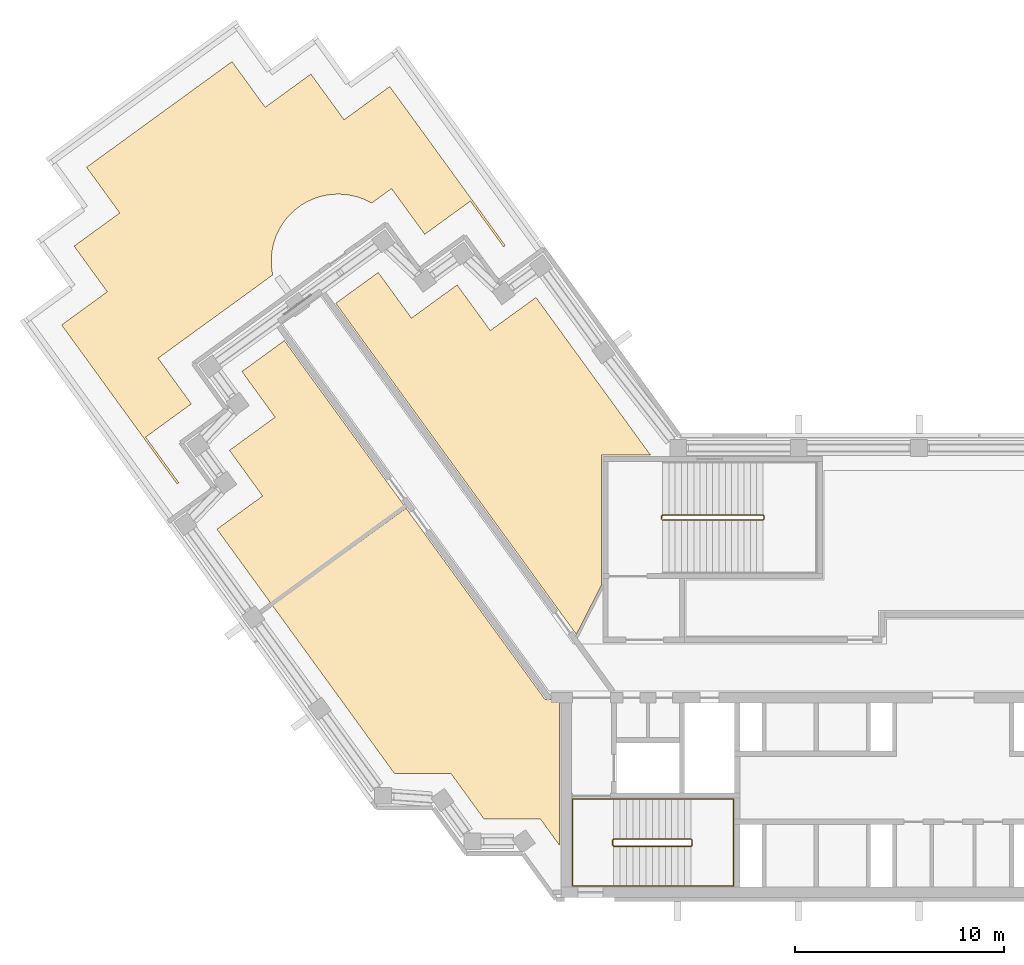
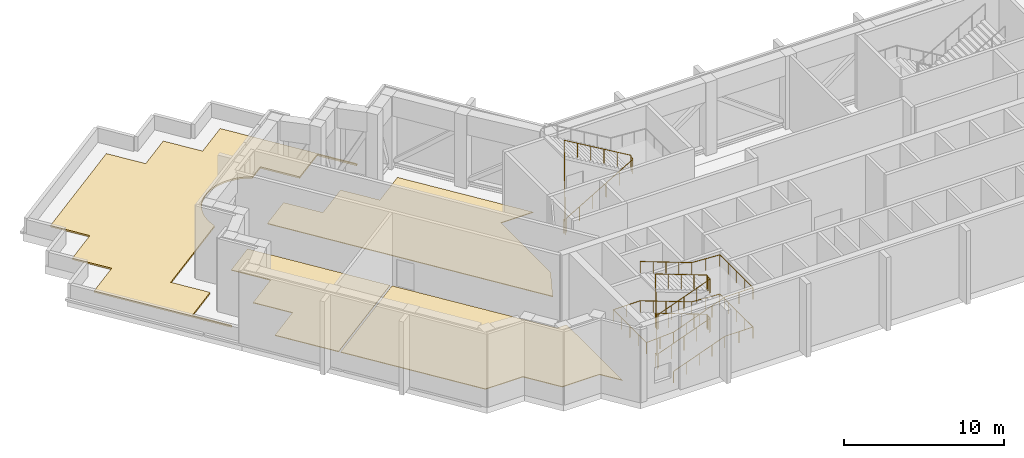
# One storey, part 13 of 15: 4 coverings, 3 railings.
"""IFC4 building model written with IfcOpenShell, lengths in metres."""

from ifc_helpers import new_model, si_unit, direction, frame, origin, origin_2d, place, context, subcontext, project, spatial, polyline, circle, outline, extrude, material, layer, layer_set, type_object, element, save


model = new_model("IFC4")

# Units and contexts
model_context = context("Model", 3, precision=1e-05, world=origin(), true_north=direction((0.0, 1.0)))
body_context = subcontext(model_context, "Body", "Model", "MODEL_VIEW")
ifc_project = project(units=[si_unit("LENGTHUNIT", "METRE"), si_unit("AREAUNIT", "SQUARE_METRE"), si_unit("VOLUMEUNIT", "CUBIC_METRE"), si_unit("PLANEANGLEUNIT", "RADIAN"), si_unit("MASSUNIT", "GRAM", prefix="KILO")], contexts=[model_context])

# Site, building, storey
site_placement = place(None, origin())
site = spatial("IfcSite", under=ifc_project, at=site_placement, CompositionType="ELEMENT")
building_placement = place(site_placement, origin())
building = spatial("IfcBuilding", under=site, at=building_placement, Name="Quipu Civic Tower", CompositionType="ELEMENT")
storey_placement = place(building_placement, frame((0.0, 0.0, 242.0)))
storey = spatial("IfcBuildingStorey", under=building, at=storey_placement, Name="L57", CompositionType="ELEMENT", Elevation=242.0)

# Coverings
ifc_material_1 = material(Name="Roof membrane and gravel ballast")
ifc_layer_1 = layer(ifc_material_1, 0.1201171875)
ifc_layer_set_1 = layer_set([ifc_layer_1], Name="Roof membrane and gravel ballast")
covering_type_1 = type_object("IfcCoveringType", Name="Roof membrane and ballast build-up", PredefinedType="ROOFING", material=ifc_layer_set_1)
covering_1_placement = place(storey_placement, origin())
element("IfcCovering", 1, at=covering_1_placement, inside=storey, type_object=covering_type_1, Name="Roof build-up L57 1", PredefinedType="ROOFING", context=body_context, shape_type="SweptSolid", body=[
    extrude(outline(polyline([(-43.89404296875, 16.384521484375), (-41.709716796875, 17.9716796875), (-43.296630859375, 20.156005859375), (-41.1123046875, 21.742919921875), (-42.699462890625, 23.927490234375), (-35.74169921875, 28.982421875), (-34.15478515625, 26.798095703125), (-31.970458984375, 28.385009765625), (-30.38330078125, 26.20068359375), (-28.19921875, 27.78759765625), (-22.673828125, 20.182861328125), (-22.7548828125, 20.1240234375), (-24.341796875, 22.30859375), (-26.526123046875, 20.721435546875), (-28.11328125, 22.90576171875), (-29.067626953125, 22.21240234375), (-29.44140625, 22.400390625), (-29.737060546875, 22.506103515625), (-30.041748046875, 22.58251953125), (-30.352294921875, 22.628662109375), (-30.666015625, 22.64404296875), (-30.979736328125, 22.628662109375), (-31.290283203125, 22.58251953125), (-31.594970703125, 22.506103515625), (-31.890625, 22.400390625), (-32.174560546875, 22.26611328125), (-32.44384765625, 22.104736328125), (-32.696044921875, 21.91748046875), (-32.9287109375, 21.706787109375), (-33.1396484375, 21.47412109375), (-33.32666015625, 21.2216796875), (-33.488037109375, 20.952392578125), (-33.622314453125, 20.668701171875), (-33.728271484375, 20.372802734375), (-33.804443359375, 20.068359375), (-33.8505859375, 19.7578125), (-33.865966796875, 19.444091796875), (-33.8505859375, 19.13037109375), (-33.794189453125, 18.7783203125), (-39.277587890625, 14.79443359375), (-37.690673828125, 12.610107421875), (-39.875, 11.02294921875), (-38.287841796875, 8.838623046875), (-38.368896484375, 8.77978515625), (-43.89404296875, 16.384521484375)])), origin(), (0.0, 0.0, 1.0), 0.1201171875),
])
ifc_material_2 = material(Name="Sealed cement screed")
ifc_layer_2 = layer(ifc_material_2, 0.050048828125)
ifc_layer_set_2 = layer_set([ifc_layer_2], Name="Sealed cement screed")
covering_type_2 = type_object("IfcCoveringType", Name="Sealed screed floor finish 50", PredefinedType="FLOORING", material=ifc_layer_set_2)
covering_2_placement = place(storey_placement, origin())
element("IfcCovering", 2, at=covering_2_placement, inside=storey, type_object=covering_type_2, Name="Sealed screed floor finish 50", PredefinedType="FLOORING", context=body_context, shape_type="SweptSolid", body=[
    extrude(outline(polyline([(-30.779052734375, 17.422119140625), (-28.748046875, 18.89697265625), (-27.159912109375, 16.712890625), (-24.97607421875, 18.299072265625), (-23.388916015625, 16.115966796875), (-21.205078125, 17.701904296875), (-15.73193359375, 10.169921875), (-18.070068359375, 10.1689453125), (-18.070068359375, 3.94189453125), (-19.27197265625, 1.583984375), (-30.779052734375, 17.422119140625)])), origin(), (0.0, 0.0, 1.0), 0.050048828125),
])
covering_3_placement = place(storey_placement, origin())
element("IfcCovering", 3, at=covering_3_placement, inside=storey, type_object=covering_type_2, Name="Sealed screed floor finish 50", PredefinedType="FLOORING", context=body_context, shape_type="SweptSolid", body=[
    extrude(outline(polyline([(-36.462890625, 6.616943359375), (-34.280029296875, 8.2041015625), (-35.865966796875, 10.387939453125), (-33.68310546875, 11.97412109375), (-35.26904296875, 14.159912109375), (-33.238037109375, 15.635009765625), (-27.4990234375, 7.73388671875), (-33.89794921875, 3.0859375), (-36.462890625, 6.616943359375)])), origin(), (0.0, 0.0, 1.0), 0.050048828125),
])
covering_4_placement = place(storey_placement, origin())
element("IfcCovering", 4, at=covering_4_placement, inside=storey, type_object=covering_type_2, Name="Sealed screed floor finish 50", PredefinedType="FLOORING", context=body_context, shape_type="SweptSolid", body=[
    extrude(outline(polyline([(-33.81494140625, 2.972900390625), (-27.416015625, 7.62109375), (-20.77490234375, -1.51904296875), (-20.070068359375, -1.52001953125), (-20.070068359375, -8.514892578125), (-20.991943359375, -7.24609375), (-23.69189453125, -7.24609375), (-25.279052734375, -5.06103515625), (-27.97900390625, -5.06103515625), (-33.81494140625, 2.972900390625)])), origin(), (0.0, 0.0, 1.0), 0.050048828125),
])

# Railings
ifc_material_3 = material(Name="Stainless steel", Category="steel")
railing_type_1 = type_object("IfcRailingType", Name="Stair guard 1100", PredefinedType="GUARDRAIL", material=ifc_material_3)
railing_1_placement = place(storey_placement, frame((-17.5, -8.550048828125, 0.115478515625)))
element("IfcRailing", 5, at=railing_1_placement, inside=storey, type_object=railing_type_1, Name="Stair 1 guard", PredefinedType="GUARDRAIL", context=body_context, shape_type="SweptSolid", body=[
    extrude(circle(Radius=0.02392578125, at=origin_2d()), frame((0.0, 0.0, 1.076171875), z_axis=(0.937193329374, 0.0, 0.348810354458), x_axis=(0.0, 1.0, 0.0)), (0.0, 0.0, 1.0), 3.96923828125),
    extrude(circle(Radius=0.02392578125, at=origin_2d()), frame((3.719970703125, 0.0, 2.46044921875), z_axis=(0.707106781187, 0.707106781187, 0.0), x_axis=(-0.707106781187, 0.707106781187, 0.0)), (0.0, 0.0, 1.0), 0.07080078125),
    extrude(circle(Radius=0.02392578125, at=origin_2d()), frame((3.77001953125, 0.050048828125, 2.46044921875), z_axis=(0.0, 1.0, 0.0), x_axis=(-1.0, 0.0, 0.0)), (0.0, 0.0, 1.0), 0.25),
    extrude(circle(Radius=0.02392578125, at=origin_2d()), frame((3.77001953125, 0.300048828125, 2.46044921875), z_axis=(-0.3695169537, 0.3695169537, 0.852592776099), x_axis=(-0.707106781187, -0.707106781187, 0.0)), (0.0, 0.0, 1.0), 0.135498046875),
    extrude(circle(Radius=0.02392578125, at=origin_2d()), frame((3.719970703125, 0.35009765625, 2.576171875), z_axis=(-0.937193329374, 0.0, 0.348810354458), x_axis=(0.0, -1.0, 0.0)), (0.0, 0.0, 1.0), 3.96923828125),
    extrude(circle(Radius=0.02392578125, at=origin_2d()), frame((0.0, 0.35009765625, 3.96044921875), z_axis=(-0.164529134168, -0.986372223864, 0.0), x_axis=(0.986372223864, -0.164529134168, 0.0)), (0.0, 0.0, 1.0), 0.30419921875),
    extrude(circle(Radius=0.02392578125, at=origin_2d()), frame((-0.050048828125, 0.050048828125, 3.96044921875), z_axis=(0.0, 1.0, 0.0), x_axis=(-1.0, 0.0, 0.0)), (0.0, 0.0, 1.0), 0.25),
    extrude(circle(Radius=0.02392578125, at=origin_2d()), frame((-0.050048828125, 0.300048828125, 3.96044921875), z_axis=(0.153818488509, -0.922160596963, 0.354908024706), x_axis=(0.986372223864, 0.164529134168, 0.0)), (0.0, 0.0, 1.0), 0.325439453125),
    extrude(circle(Radius=0.02392578125, at=origin_2d()), frame((0.0, 0.0, 4.076171875), z_axis=(0.937193329374, 0.0, 0.348810354458), x_axis=(0.0, 1.0, 0.0)), (0.0, 0.0, 1.0), 3.96923828125),
    extrude(circle(Radius=0.02392578125, at=origin_2d()), frame((3.719970703125, 0.0, 5.46044921875), z_axis=(0.707106781187, 0.707106781187, 0.0), x_axis=(-0.707106781187, 0.707106781187, 0.0)), (0.0, 0.0, 1.0), 0.07080078125),
    extrude(circle(Radius=0.02392578125, at=origin_2d()), frame((3.77001953125, 0.050048828125, 5.46044921875), z_axis=(0.0, 1.0, 0.0), x_axis=(-1.0, 0.0, 0.0)), (0.0, 0.0, 1.0), 0.25),
    extrude(circle(Radius=0.02392578125, at=origin_2d()), frame((3.77001953125, 0.300048828125, 5.46044921875), z_axis=(-0.3695169537, 0.3695169537, 0.852592776099), x_axis=(-0.707106781187, -0.707106781187, 0.0)), (0.0, 0.0, 1.0), 0.135498046875),
    extrude(circle(Radius=0.02392578125, at=origin_2d()), frame((3.719970703125, 0.35009765625, 5.576171875), z_axis=(-0.937193329374, 0.0, 0.348810354458), x_axis=(0.0, -1.0, 0.0)), (0.0, 0.0, 1.0), 3.96923828125),
    extrude(circle(Radius=0.02392578125, at=origin_2d()), frame((0.0, 0.35009765625, 6.96044921875), z_axis=(-0.008330771543, -0.049943991347, -0.998717275296), x_axis=(0.986372223864, -0.164529134168, 0.0)), (0.0, 0.0, 1.0), 6.0078125),
    extrude(circle(Radius=0.02392578125, at=origin_2d()), frame((-0.050048828125, 0.050048828125, 0.96044921875), z_axis=(0.0, 1.0, 0.0), x_axis=(-1.0, 0.0, 0.0)), (0.0, 0.0, 1.0), 0.25),
    extrude(circle(Radius=0.02099609375, at=origin_2d()), origin(), (0.0, 0.0, 1.0), 1.052001953125),
    extrude(circle(Radius=0.02099609375, at=origin_2d()), frame((0.929931640625, 0.0, 0.34619140625)), (0.0, 0.0, 1.0), 1.052001953125),
    extrude(circle(Radius=0.02099609375, at=origin_2d()), frame((1.85986328125, 0.0, 0.6923828125)), (0.0, 0.0, 1.0), 1.052001953125),
    extrude(circle(Radius=0.02099609375, at=origin_2d()), frame((2.7900390625, 0.0, 1.038330078125)), (0.0, 0.0, 1.0), 1.052001953125),
    extrude(circle(Radius=0.02099609375, at=origin_2d()), frame((3.719970703125, 0.0, 1.384521484375)), (0.0, 0.0, 1.0), 1.052001953125),
    extrude(circle(Radius=0.02099609375, at=origin_2d()), frame((3.77001953125, 0.050048828125, 1.384521484375)), (0.0, 0.0, 1.0), 1.052001953125),
    extrude(circle(Radius=0.02099609375, at=origin_2d()), frame((3.77001953125, 0.300048828125, 1.384521484375)), (0.0, 0.0, 1.0), 1.052001953125),
    extrude(circle(Radius=0.02099609375, at=origin_2d()), frame((3.719970703125, 0.35009765625, 1.5)), (0.0, 0.0, 1.0), 1.052001953125),
    extrude(circle(Radius=0.02099609375, at=origin_2d()), frame((2.7900390625, 0.35009765625, 1.84619140625)), (0.0, 0.0, 1.0), 1.052001953125),
    extrude(circle(Radius=0.02099609375, at=origin_2d()), frame((1.85986328125, 0.35009765625, 2.1923828125)), (0.0, 0.0, 1.0), 1.052001953125),
    extrude(circle(Radius=0.02099609375, at=origin_2d()), frame((0.929931640625, 0.35009765625, 2.538330078125)), (0.0, 0.0, 1.0), 1.052001953125),
    extrude(circle(Radius=0.02099609375, at=origin_2d()), frame((0.0, 0.35009765625, 2.884521484375)), (0.0, 0.0, 1.0), 1.052001953125),
    extrude(circle(Radius=0.02099609375, at=origin_2d()), frame((-0.050048828125, 0.050048828125, 2.884521484375)), (0.0, 0.0, 1.0), 1.052001953125),
    extrude(circle(Radius=0.02099609375, at=origin_2d()), frame((-0.050048828125, 0.300048828125, 2.884521484375)), (0.0, 0.0, 1.0), 1.052001953125),
    extrude(circle(Radius=0.02099609375, at=origin_2d()), frame((0.0, 0.0, 3.0)), (0.0, 0.0, 1.0), 1.052001953125),
    extrude(circle(Radius=0.02099609375, at=origin_2d()), frame((0.929931640625, 0.0, 3.34619140625)), (0.0, 0.0, 1.0), 1.052001953125),
    extrude(circle(Radius=0.02099609375, at=origin_2d()), frame((1.85986328125, 0.0, 3.6923828125)), (0.0, 0.0, 1.0), 1.052001953125),
    extrude(circle(Radius=0.02099609375, at=origin_2d()), frame((2.7900390625, 0.0, 4.038330078125)), (0.0, 0.0, 1.0), 1.052001953125),
    extrude(circle(Radius=0.02099609375, at=origin_2d()), frame((3.719970703125, 0.0, 4.384521484375)), (0.0, 0.0, 1.0), 1.052001953125),
    extrude(circle(Radius=0.02099609375, at=origin_2d()), frame((3.77001953125, 0.050048828125, 4.384521484375)), (0.0, 0.0, 1.0), 1.052001953125),
    extrude(circle(Radius=0.02099609375, at=origin_2d()), frame((3.77001953125, 0.300048828125, 4.384521484375)), (0.0, 0.0, 1.0), 1.052001953125),
    extrude(circle(Radius=0.02099609375, at=origin_2d()), frame((3.719970703125, 0.35009765625, 4.5)), (0.0, 0.0, 1.0), 1.052001953125),
    extrude(circle(Radius=0.02099609375, at=origin_2d()), frame((2.7900390625, 0.35009765625, 4.84619140625)), (0.0, 0.0, 1.0), 1.052001953125),
    extrude(circle(Radius=0.02099609375, at=origin_2d()), frame((1.85986328125, 0.35009765625, 5.1923828125)), (0.0, 0.0, 1.0), 1.052001953125),
    extrude(circle(Radius=0.02099609375, at=origin_2d()), frame((0.929931640625, 0.35009765625, 5.538330078125)), (0.0, 0.0, 1.0), 1.052001953125),
    extrude(circle(Radius=0.02099609375, at=origin_2d()), frame((0.0, 0.35009765625, 5.884521484375)), (0.0, 0.0, 1.0), 1.052001953125),
    extrude(circle(Radius=0.02099609375, at=origin_2d()), frame((-0.00830078125, 0.300048828125, 4.884521484375)), (0.0, 0.0, 1.0), 1.052001953125),
    extrude(circle(Radius=0.02099609375, at=origin_2d()), frame((-0.0166015625, 0.25, 3.884521484375)), (0.0, 0.0, 1.0), 1.052001953125),
    extrude(circle(Radius=0.02099609375, at=origin_2d()), frame((-0.02490234375, 0.2001953125, 2.884521484375)), (0.0, 0.0, 1.0), 1.052001953125),
    extrude(circle(Radius=0.02099609375, at=origin_2d()), frame((-0.033447265625, 0.150146484375, 1.884521484375)), (0.0, 0.0, 1.0), 1.052001953125),
    extrude(circle(Radius=0.02099609375, at=origin_2d()), frame((-0.041748046875, 0.10009765625, 0.884521484375)), (0.0, 0.0, 1.0), 1.052001953125),
    extrude(circle(Radius=0.02099609375, at=origin_2d()), frame((-0.050048828125, 0.050048828125, -0.115478515625)), (0.0, 0.0, 1.0), 1.052001953125),
    extrude(circle(Radius=0.02099609375, at=origin_2d()), frame((-0.050048828125, 0.300048828125, -0.115478515625)), (0.0, 0.0, 1.0), 1.052001953125),
])
railing_2_placement = place(storey_placement, frame((-15.14990234375, 7.050048828125, 0.176513671875)))
element("IfcRailing", 6, at=railing_2_placement, inside=storey, type_object=railing_type_1, Name="Stair 3 guard", PredefinedType="GUARDRAIL", context=body_context, shape_type="SweptSolid", body=[
    extrude(circle(Radius=0.02392578125, at=origin_2d()), frame((0.0, 0.0, 1.076171875), z_axis=(0.86192857992, 0.0, 0.507029706346), x_axis=(0.0, 1.0, 0.0)), (0.0, 0.0, 1.0), 5.568603515625),
    extrude(circle(Radius=0.02392578125, at=origin_2d()), frame((4.7998046875, 0.0, 3.8994140625), z_axis=(0.707106781187, 0.707106781187, 0.0), x_axis=(-0.707106781187, 0.707106781187, 0.0)), (0.0, 0.0, 1.0), 0.07080078125),
    extrude(circle(Radius=0.02392578125, at=origin_2d()), frame((4.849853515625, 0.050048828125, 3.8994140625), z_axis=(0.0, 1.0, 0.0), x_axis=(-1.0, 0.0, 0.0)), (0.0, 0.0, 1.0), 0.14990234375),
    extrude(circle(Radius=0.02392578125, at=origin_2d()), frame((4.849853515625, 0.199951171875, 3.8994140625), z_axis=(-0.263171338983, 0.263171338983, 0.928160380902), x_axis=(-0.707106781187, -0.707106781187, 0.0)), (0.0, 0.0, 1.0), 0.190185546875),
    extrude(circle(Radius=0.02392578125, at=origin_2d()), frame((4.7998046875, 0.25, 4.076171875), z_axis=(-0.86192857992, 0.0, 0.507029706346), x_axis=(0.0, -1.0, 0.0)), (0.0, 0.0, 1.0), 5.568603515625),
    extrude(circle(Radius=0.02392578125, at=origin_2d()), frame((0.0, 0.25, 6.8994140625), z_axis=(-0.008336553618, -0.033305548356, -0.999410447375), x_axis=(0.970072785993, -0.242814311512, 0.0)), (0.0, 0.0, 1.0), 6.00341796875),
    extrude(circle(Radius=0.02392578125, at=origin_2d()), frame((-0.050048828125, 0.050048828125, 0.8994140625), z_axis=(0.0, 1.0, 0.0), x_axis=(-1.0, 0.0, 0.0)), (0.0, 0.0, 1.0), 0.14990234375),
    extrude(circle(Radius=0.02099609375, at=origin_2d()), origin(), (0.0, 0.0, 1.0), 1.052001953125),
    extrude(circle(Radius=0.02099609375, at=origin_2d()), frame((0.9599609375, 0.0, 0.564697265625)), (0.0, 0.0, 1.0), 1.052001953125),
    extrude(circle(Radius=0.02099609375, at=origin_2d()), frame((1.919921875, 0.0, 1.12939453125)), (0.0, 0.0, 1.0), 1.052001953125),
    extrude(circle(Radius=0.02099609375, at=origin_2d()), frame((2.8798828125, 0.0, 1.694091796875)), (0.0, 0.0, 1.0), 1.052001953125),
    extrude(circle(Radius=0.02099609375, at=origin_2d()), frame((3.83984375, 0.0, 2.2587890625)), (0.0, 0.0, 1.0), 1.052001953125),
    extrude(circle(Radius=0.02099609375, at=origin_2d()), frame((4.7998046875, 0.0, 2.823486328125)), (0.0, 0.0, 1.0), 1.052001953125),
    extrude(circle(Radius=0.02099609375, at=origin_2d()), frame((4.849853515625, 0.050048828125, 2.823486328125)), (0.0, 0.0, 1.0), 1.052001953125),
    extrude(circle(Radius=0.02099609375, at=origin_2d()), frame((4.849853515625, 0.199951171875, 2.823486328125)), (0.0, 0.0, 1.0), 1.052001953125),
    extrude(circle(Radius=0.02099609375, at=origin_2d()), frame((4.7998046875, 0.25, 3.0)), (0.0, 0.0, 1.0), 1.052001953125),
    extrude(circle(Radius=0.02099609375, at=origin_2d()), frame((3.83984375, 0.25, 3.564697265625)), (0.0, 0.0, 1.0), 1.052001953125),
    extrude(circle(Radius=0.02099609375, at=origin_2d()), frame((2.8798828125, 0.25, 4.12939453125)), (0.0, 0.0, 1.0), 1.052001953125),
    extrude(circle(Radius=0.02099609375, at=origin_2d()), frame((1.919921875, 0.25, 4.694091796875)), (0.0, 0.0, 1.0), 1.052001953125),
    extrude(circle(Radius=0.02099609375, at=origin_2d()), frame((0.9599609375, 0.25, 5.2587890625)), (0.0, 0.0, 1.0), 1.052001953125),
    extrude(circle(Radius=0.02099609375, at=origin_2d()), frame((0.0, 0.25, 5.823486328125)), (0.0, 0.0, 1.0), 1.052001953125),
    extrude(circle(Radius=0.02099609375, at=origin_2d()), frame((-0.00830078125, 0.216796875, 4.823486328125)), (0.0, 0.0, 1.0), 1.052001953125),
    extrude(circle(Radius=0.02099609375, at=origin_2d()), frame((-0.0166015625, 0.183349609375, 3.823486328125)), (0.0, 0.0, 1.0), 1.052001953125),
    extrude(circle(Radius=0.02099609375, at=origin_2d()), frame((-0.02490234375, 0.14990234375, 2.823486328125)), (0.0, 0.0, 1.0), 1.052001953125),
    extrude(circle(Radius=0.02099609375, at=origin_2d()), frame((-0.033447265625, 0.11669921875, 1.823486328125)), (0.0, 0.0, 1.0), 1.052001953125),
    extrude(circle(Radius=0.02099609375, at=origin_2d()), frame((-0.041748046875, 0.08349609375, 0.823486328125)), (0.0, 0.0, 1.0), 1.052001953125),
    extrude(circle(Radius=0.02099609375, at=origin_2d()), frame((-0.050048828125, 0.050048828125, -0.176513671875)), (0.0, 0.0, 1.0), 1.052001953125),
    extrude(circle(Radius=0.02099609375, at=origin_2d()), frame((-0.050048828125, 0.199951171875, -0.176513671875)), (0.0, 0.0, 1.0), 1.052001953125),
])
ifc_material_4 = material(Name="Stainless steel", Category="steel")
railing_type_2 = type_object("IfcRailingType", Name="Stair handrail", PredefinedType="HANDRAIL", material=ifc_material_4)
railing_3_placement = place(storey_placement, frame((-17.5, -10.449951171875, 0.115478515625)))
element("IfcRailing", 7, at=railing_3_placement, inside=storey, type_object=railing_type_2, Name="Stair 1 handrail", PredefinedType="HANDRAIL", context=body_context, shape_type="SweptSolid", body=[
    extrude(circle(Radius=0.02392578125, at=origin_2d()), frame((0.0, 0.0, 0.8759765625), z_axis=(0.937193329374, 0.0, 0.348810354458), x_axis=(0.0, 1.0, 0.0)), (0.0, 0.0, 1.0), 3.96923828125),
    extrude(circle(Radius=0.02392578125, at=origin_2d()), frame((3.719970703125, 0.0, 2.26025390625), z_axis=(1.0, 0.0, 0.0), x_axis=(0.0, 1.0, 0.0)), (0.0, 0.0, 1.0), 2.030029296875),
    extrude(circle(Radius=0.02392578125, at=origin_2d()), frame((5.75, 0.0, 2.26025390625), z_axis=(0.0, 1.0, 0.0), x_axis=(-1.0, 0.0, 0.0)), (0.0, 0.0, 1.0), 4.14990234375),
    extrude(circle(Radius=0.02392578125, at=origin_2d()), frame((5.75, 4.14990234375, 2.26025390625), z_axis=(-0.99838595614, 0.0, 0.056793332201), x_axis=(0.0, -1.0, 0.0)), (0.0, 0.0, 1.0), 2.033203125),
    extrude(circle(Radius=0.02392578125, at=origin_2d()), frame((3.719970703125, 4.14990234375, 2.3759765625), z_axis=(-0.937193329374, 0.0, 0.348810354458), x_axis=(0.0, -1.0, 0.0)), (0.0, 0.0, 1.0), 3.96923828125),
    extrude(circle(Radius=0.02392578125, at=origin_2d()), frame((0.0, 4.14990234375, 3.76025390625), z_axis=(-1.0, 0.0, 0.0), x_axis=(0.0, -1.0, 0.0)), (0.0, 0.0, 1.0), 1.949951171875),
    extrude(circle(Radius=0.02392578125, at=origin_2d()), frame((-1.949951171875, 4.14990234375, 3.76025390625), z_axis=(0.0, -1.0, 0.0), x_axis=(1.0, 0.0, 0.0)), (0.0, 0.0, 1.0), 4.14990234375),
    extrude(circle(Radius=0.02392578125, at=origin_2d()), frame((-1.949951171875, 0.0, 3.76025390625), z_axis=(0.998251021802, 0.0, 0.059117657858), x_axis=(0.0, 1.0, 0.0)), (0.0, 0.0, 1.0), 1.953369140625),
    extrude(circle(Radius=0.02392578125, at=origin_2d()), frame((0.0, 0.0, 3.8759765625), z_axis=(0.937193329374, 0.0, 0.348810354458), x_axis=(0.0, 1.0, 0.0)), (0.0, 0.0, 1.0), 3.96923828125),
    extrude(circle(Radius=0.02392578125, at=origin_2d()), frame((3.719970703125, 0.0, 5.26025390625), z_axis=(1.0, 0.0, 0.0), x_axis=(0.0, 1.0, 0.0)), (0.0, 0.0, 1.0), 2.030029296875),
    extrude(circle(Radius=0.02392578125, at=origin_2d()), frame((5.75, 0.0, 5.26025390625), z_axis=(0.0, 1.0, 0.0), x_axis=(-1.0, 0.0, 0.0)), (0.0, 0.0, 1.0), 4.14990234375),
    extrude(circle(Radius=0.02392578125, at=origin_2d()), frame((5.75, 4.14990234375, 5.26025390625), z_axis=(-0.99838595614, 0.0, 0.056793332201), x_axis=(0.0, -1.0, 0.0)), (0.0, 0.0, 1.0), 2.033203125),
    extrude(circle(Radius=0.02392578125, at=origin_2d()), frame((3.719970703125, 4.14990234375, 5.3759765625), z_axis=(-0.937193329374, 0.0, 0.348810354458), x_axis=(0.0, -1.0, 0.0)), (0.0, 0.0, 1.0), 3.96923828125),
    extrude(circle(Radius=0.02099609375, at=origin_2d()), origin(), (0.0, 0.0, 1.0), 0.851806640625),
    extrude(circle(Radius=0.02099609375, at=origin_2d()), frame((0.929931640625, 0.0, 0.34619140625)), (0.0, 0.0, 1.0), 0.851806640625),
    extrude(circle(Radius=0.02099609375, at=origin_2d()), frame((1.85986328125, 0.0, 0.6923828125)), (0.0, 0.0, 1.0), 0.851806640625),
    extrude(circle(Radius=0.02099609375, at=origin_2d()), frame((2.7900390625, 0.0, 1.038330078125)), (0.0, 0.0, 1.0), 0.851806640625),
    extrude(circle(Radius=0.02099609375, at=origin_2d()), frame((3.719970703125, 0.0, 1.384521484375)), (0.0, 0.0, 1.0), 0.851806640625),
    extrude(circle(Radius=0.02099609375, at=origin_2d()), frame((4.73486328125, 0.0, 1.384521484375)), (0.0, 0.0, 1.0), 0.851806640625),
    extrude(circle(Radius=0.02099609375, at=origin_2d()), frame((5.75, 0.0, 1.384521484375)), (0.0, 0.0, 1.0), 0.851806640625),
    extrude(circle(Radius=0.02099609375, at=origin_2d()), frame((5.75, 1.03759765625, 1.384521484375)), (0.0, 0.0, 1.0), 0.851806640625),
    extrude(circle(Radius=0.02099609375, at=origin_2d()), frame((5.75, 2.074951171875, 1.384521484375)), (0.0, 0.0, 1.0), 0.851806640625),
    extrude(circle(Radius=0.02099609375, at=origin_2d()), frame((5.75, 3.1123046875, 1.384521484375)), (0.0, 0.0, 1.0), 0.851806640625),
    extrude(circle(Radius=0.02099609375, at=origin_2d()), frame((5.75, 4.14990234375, 1.384521484375)), (0.0, 0.0, 1.0), 0.851806640625),
    extrude(circle(Radius=0.02099609375, at=origin_2d()), frame((4.73486328125, 4.14990234375, 1.4423828125)), (0.0, 0.0, 1.0), 0.851806640625),
    extrude(circle(Radius=0.02099609375, at=origin_2d()), frame((3.719970703125, 4.14990234375, 1.5)), (0.0, 0.0, 1.0), 0.851806640625),
    extrude(circle(Radius=0.02099609375, at=origin_2d()), frame((2.7900390625, 4.14990234375, 1.84619140625)), (0.0, 0.0, 1.0), 0.851806640625),
    extrude(circle(Radius=0.02099609375, at=origin_2d()), frame((1.85986328125, 4.14990234375, 2.1923828125)), (0.0, 0.0, 1.0), 0.851806640625),
    extrude(circle(Radius=0.02099609375, at=origin_2d()), frame((0.929931640625, 4.14990234375, 2.538330078125)), (0.0, 0.0, 1.0), 0.851806640625),
    extrude(circle(Radius=0.02099609375, at=origin_2d()), frame((0.0, 4.14990234375, 2.884521484375)), (0.0, 0.0, 1.0), 0.851806640625),
    extrude(circle(Radius=0.02099609375, at=origin_2d()), frame((-0.97509765625, 4.14990234375, 2.884521484375)), (0.0, 0.0, 1.0), 0.851806640625),
    extrude(circle(Radius=0.02099609375, at=origin_2d()), frame((-1.949951171875, 4.14990234375, 2.884521484375)), (0.0, 0.0, 1.0), 0.851806640625),
    extrude(circle(Radius=0.02099609375, at=origin_2d()), frame((-1.949951171875, 3.1123046875, 2.884521484375)), (0.0, 0.0, 1.0), 0.851806640625),
    extrude(circle(Radius=0.02099609375, at=origin_2d()), frame((-1.949951171875, 2.074951171875, 2.884521484375)), (0.0, 0.0, 1.0), 0.851806640625),
    extrude(circle(Radius=0.02099609375, at=origin_2d()), frame((-1.949951171875, 1.03759765625, 2.884521484375)), (0.0, 0.0, 1.0), 0.851806640625),
    extrude(circle(Radius=0.02099609375, at=origin_2d()), frame((-1.949951171875, 0.0, 2.884521484375)), (0.0, 0.0, 1.0), 0.851806640625),
    extrude(circle(Radius=0.02099609375, at=origin_2d()), frame((-0.97509765625, 0.0, 2.9423828125)), (0.0, 0.0, 1.0), 0.851806640625),
    extrude(circle(Radius=0.02099609375, at=origin_2d()), frame((0.0, 0.0, 3.0)), (0.0, 0.0, 1.0), 0.851806640625),
    extrude(circle(Radius=0.02099609375, at=origin_2d()), frame((0.929931640625, 0.0, 3.34619140625)), (0.0, 0.0, 1.0), 0.851806640625),
    extrude(circle(Radius=0.02099609375, at=origin_2d()), frame((1.85986328125, 0.0, 3.6923828125)), (0.0, 0.0, 1.0), 0.851806640625),
    extrude(circle(Radius=0.02099609375, at=origin_2d()), frame((2.7900390625, 0.0, 4.038330078125)), (0.0, 0.0, 1.0), 0.851806640625),
    extrude(circle(Radius=0.02099609375, at=origin_2d()), frame((3.719970703125, 0.0, 4.384521484375)), (0.0, 0.0, 1.0), 0.851806640625),
    extrude(circle(Radius=0.02099609375, at=origin_2d()), frame((4.73486328125, 0.0, 4.384521484375)), (0.0, 0.0, 1.0), 0.851806640625),
    extrude(circle(Radius=0.02099609375, at=origin_2d()), frame((5.75, 0.0, 4.384521484375)), (0.0, 0.0, 1.0), 0.851806640625),
    extrude(circle(Radius=0.02099609375, at=origin_2d()), frame((5.75, 1.03759765625, 4.384521484375)), (0.0, 0.0, 1.0), 0.851806640625),
    extrude(circle(Radius=0.02099609375, at=origin_2d()), frame((5.75, 2.074951171875, 4.384521484375)), (0.0, 0.0, 1.0), 0.851806640625),
    extrude(circle(Radius=0.02099609375, at=origin_2d()), frame((5.75, 3.1123046875, 4.384521484375)), (0.0, 0.0, 1.0), 0.851806640625),
    extrude(circle(Radius=0.02099609375, at=origin_2d()), frame((5.75, 4.14990234375, 4.384521484375)), (0.0, 0.0, 1.0), 0.851806640625),
    extrude(circle(Radius=0.02099609375, at=origin_2d()), frame((4.73486328125, 4.14990234375, 4.4423828125)), (0.0, 0.0, 1.0), 0.851806640625),
    extrude(circle(Radius=0.02099609375, at=origin_2d()), frame((3.719970703125, 4.14990234375, 4.5)), (0.0, 0.0, 1.0), 0.851806640625),
    extrude(circle(Radius=0.02099609375, at=origin_2d()), frame((2.7900390625, 4.14990234375, 4.84619140625)), (0.0, 0.0, 1.0), 0.851806640625),
    extrude(circle(Radius=0.02099609375, at=origin_2d()), frame((1.85986328125, 4.14990234375, 5.1923828125)), (0.0, 0.0, 1.0), 0.851806640625),
    extrude(circle(Radius=0.02099609375, at=origin_2d()), frame((0.929931640625, 4.14990234375, 5.538330078125)), (0.0, 0.0, 1.0), 0.851806640625),
    extrude(circle(Radius=0.02099609375, at=origin_2d()), frame((0.0, 4.14990234375, 5.884521484375)), (0.0, 0.0, 1.0), 0.851806640625),
])

save(model, "model.ifc")
